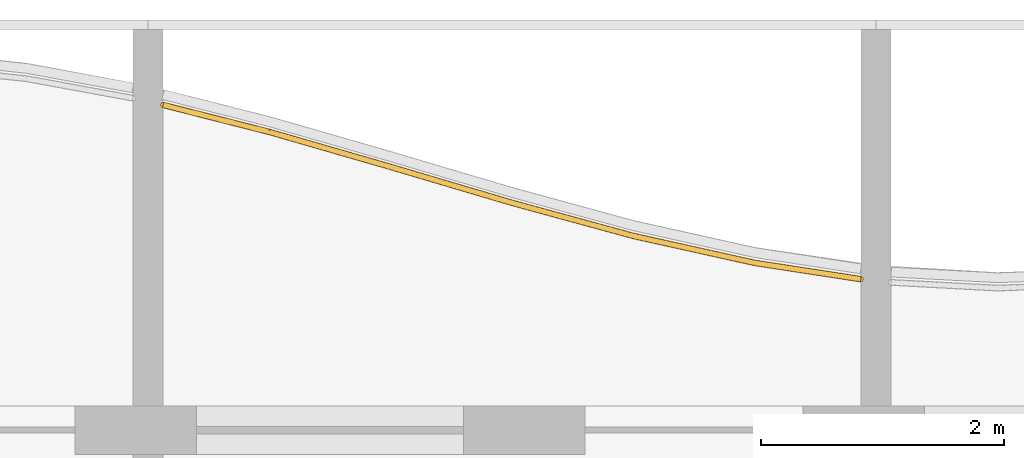
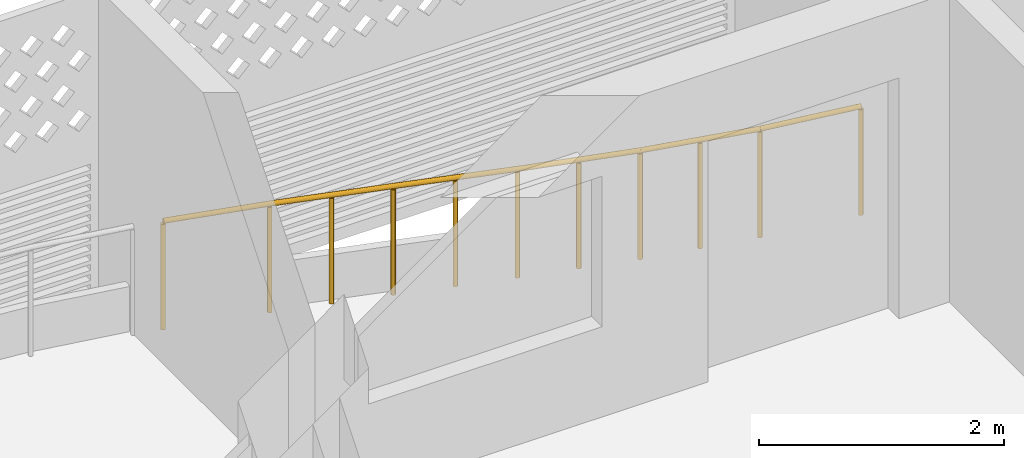
# One storey, part 23 of 26: 1 railing.
"""IFC4 building model written with IfcOpenShell, lengths in metres."""

import ifcopenshell
import ifcopenshell.guid

model = None  # the IFC model being written
_history = None  # IfcOwnerHistory: only IFC2X3 demands one
_inside = {}  # id of a spatial element -> (the spatial element, [elements in it])
_under = {}  # id of a project, library or spatial element -> (it, [spatial elements below it])
_declared = {}  # id of a project -> (the project, [libraries it declares])
_typed = {}  # id of a type object -> (the type object, [elements of that type])
_made_of = {}  # id of a material, layer set ... -> (it, [elements and type objects made of it])


def new_model(schema):
    """Start an empty IFC model of exactly this schema.

    Asked for "IFC4X3", IfcOpenShell would pick the latest addendum, in which some entities
    have other attributes; the version numbers below select the first issue.
    IFC2X3 requires an IfcOwnerHistory on every rooted entity: one is made here for all.
    """
    global model, _history
    if schema == "IFC4X3":
        model = ifcopenshell.file(schema_version=(4, 3, 0, 0))
    else:
        model = ifcopenshell.file(schema=schema)
    _inside.clear()
    _under.clear()
    _declared.clear()
    _typed.clear()
    _made_of.clear()
    _history = None
    if model.schema == "IFC2X3":
        org = make("IfcOrganization", Name="unknown")
        user = make(
            "IfcPersonAndOrganization",
            ThePerson=make("IfcPerson", FamilyName="unknown"),
            TheOrganization=org,
        )
        app = make(
            "IfcApplication",
            ApplicationDeveloper=org,
            Version="unknown",
            ApplicationFullName="unknown",
            ApplicationIdentifier="unknown",
        )
        _history = make(
            "IfcOwnerHistory",
            OwningUser=user,
            OwningApplication=app,
            ChangeAction="ADDED",
            CreationDate=0,
        )
    return model


def make(cls, **values):
    """One entity of the class cls with the attributes given. An attribute that is None is left unset."""
    return model.create_entity(
        cls, **{name: value for name, value in values.items() if value is not None}
    )


def rooted(cls, **values):
    """An entity with a GlobalId (a new one), such as an element, a storey or a relation."""
    return make(cls, GlobalId=ifcopenshell.guid.new(), OwnerHistory=_history, **values)


def si_unit(unit_type, name, prefix=None):
    """IfcSIUnit, for example si_unit("LENGTHUNIT", "METRE", prefix="MILLI")."""
    return make("IfcSIUnit", UnitType=unit_type, Prefix=prefix, Name=name)


def assignment(units):
    """IfcUnitAssignment: the units of a project."""
    return None if units is None else make("IfcUnitAssignment", Units=units)


def point(xyz):
    """IfcCartesianPoint."""
    return None if xyz is None else make("IfcCartesianPoint", Coordinates=xyz)


def direction(xyz):
    """IfcDirection."""
    return None if xyz is None else make("IfcDirection", DirectionRatios=xyz)


def frame(location, z_axis=None, x_axis=None):
    """IfcAxis2Placement3D, a coordinate frame: its origin and axes. An axis left out is left unset."""
    return make(
        "IfcAxis2Placement3D",
        Location=point(location),
        Axis=direction(z_axis),
        RefDirection=direction(x_axis),
    )


def frame_2d(location, x_axis=None):
    """IfcAxis2Placement2D, a coordinate frame in the plane: its origin and x axis."""
    return make(
        "IfcAxis2Placement2D", Location=point(location), RefDirection=direction(x_axis)
    )


def origin():
    """The frame at (0, 0, 0) with its axes left unset."""
    return frame((0.0, 0.0, 0.0))


def origin_2d():
    """The frame at (0, 0) in the plane with its x axis left unset."""
    return frame_2d((0.0, 0.0))


def place(relative_to, where):
    """IfcLocalPlacement: puts the frame where relative to a parent placement (None: the world)."""
    return make(
        "IfcLocalPlacement", PlacementRelTo=relative_to, RelativePlacement=where
    )


def context(
    kind, dimensions, precision=None, world=None, true_north=None, identifier=None
):
    """IfcGeometricRepresentationContext, for example the 3D "Model" context."""
    return make(
        "IfcGeometricRepresentationContext",
        ContextIdentifier=identifier,
        ContextType=kind,
        CoordinateSpaceDimension=dimensions,
        Precision=precision,
        WorldCoordinateSystem=world,
        TrueNorth=true_north,
    )


def subcontext(parent, identifier, kind, view, scale=None):
    """IfcGeometricRepresentationSubContext, for example "Body" below "Model"."""
    return make(
        "IfcGeometricRepresentationSubContext",
        ContextIdentifier=identifier,
        ContextType=kind,
        ParentContext=parent,
        TargetScale=scale,
        TargetView=view,
    )


def project(units=None, contexts=None):
    """IfcProject with its units and contexts."""
    return rooted(
        "IfcProject",
        Name="project",
        RepresentationContexts=contexts,
        UnitsInContext=assignment(units),
    )


def spatial(cls, under=None, at=None, **own):
    """A site, building, storey or space (cls), placed at a placement, below another one or the project."""
    s = rooted(cls, ObjectPlacement=at, **own)
    if under is not None:
        _under.setdefault(under.id(), (under, []))[1].append(s)
    return s


def profile(cls, at=None, kind="AREA", **sizes):
    """A parametric profile (cls). Its sizes go by their IFC names, for example OverallWidth=200.0."""
    return make(cls, ProfileType=kind, Position=at, **sizes)


def circle(**sizes):
    """IfcCircleProfileDef."""
    return profile("IfcCircleProfileDef", **sizes)


def extrude(swept, where, along, depth):
    """IfcExtrudedAreaSolid: the profile swept, set in the frame where, extruded along a direction by depth."""
    return make(
        "IfcExtrudedAreaSolid",
        SweptArea=swept,
        Position=where,
        ExtrudedDirection=direction(along),
        Depth=depth,
    )


def shape(context_of_items, identifier, shape_type, items):
    """IfcShapeRepresentation: the items that make up one representation, for example the "Body"."""
    return make(
        "IfcShapeRepresentation",
        ContextOfItems=context_of_items,
        RepresentationIdentifier=identifier,
        RepresentationType=shape_type,
        Items=items,
    )


def material(Name=None, Category=None):
    """IfcMaterial."""
    return make("IfcMaterial", Name=Name, Category=Category)


def made_of(thing, what):
    """Note that an element or type object is made of a material, layer set ...; save() writes the relation."""
    if what is not None:
        _made_of.setdefault(what.id(), (what, []))[1].append(thing)
    return thing


def type_object(cls, material=None, **own):
    """A type object (cls), such as IfcWallType, which elements share."""
    return made_of(rooted(cls, **own), material)


def element(
    cls,
    number,
    at=None,
    inside=None,
    cuts=None,
    type_object=None,
    material=None,
    context=None,
    identifier="Body",
    shape_type=None,
    held_by="IfcProductDefinitionShape",
    body=None,
    shapes=None,
    **own,
):
    """One element of the class cls, such as IfcWall. Its Tag is "e" and its number.

    at: its placement. inside: the storey or other place that contains it. cuts: it is an
    opening in that element (IfcRelVoidsElement). A single representation is given by context,
    identifier, shape_type and body (its items); several are given by shapes. held_by: the class
    of the entity that holds the representations. save() writes the other relations.
    """
    e = rooted(cls, Tag="e%d" % number, ObjectPlacement=at, **own)
    if body is not None:
        shapes = [shape(context, identifier, shape_type, body)]
    if shapes is not None:
        e.Representation = make(held_by, Representations=shapes)
    if inside is not None:
        _inside.setdefault(inside.id(), (inside, []))[1].append(e)
    if cuts is not None:
        rooted(
            "IfcRelVoidsElement", RelatingBuildingElement=cuts, RelatedOpeningElement=e
        )
    if type_object is not None:
        _typed.setdefault(type_object.id(), (type_object, []))[1].append(e)
    return made_of(e, material)


def aggregate(whole, parts):
    """IfcRelAggregates: a whole, such as a stair, and the parts it consists of."""
    return rooted("IfcRelAggregates", RelatingObject=whole, RelatedObjects=parts)


def save(model, path):
    """Write the relations noted so far, then the file.

    IfcRelAggregates (storeys below a building ...), IfcRelContainedInSpatialStructure (elements
    in a storey), IfcRelDefinesByType, IfcRelAssociatesMaterial and IfcRelDeclares: one each for
    every whole, place, type object, material and project.
    """
    for whole, parts in _under.values():
        aggregate(whole, parts)
    for where, things in _inside.values():
        rooted(
            "IfcRelContainedInSpatialStructure",
            RelatedElements=things,
            RelatingStructure=where,
        )
    for kind, things in _typed.values():
        rooted("IfcRelDefinesByType", RelatedObjects=things, RelatingType=kind)
    for what, things in _made_of.values():
        rooted("IfcRelAssociatesMaterial", RelatedObjects=things, RelatingMaterial=what)
    for by, libraries in _declared.values():
        rooted("IfcRelDeclares", RelatingContext=by, RelatedDefinitions=libraries)
    model.write(path)


model = new_model("IFC4")

# Units and contexts
model_context = context("Model", 3, precision=1e-05, world=origin(), true_north=direction((0.0, 1.0)))
body_context = subcontext(model_context, "Body", "Model", "MODEL_VIEW")
ifc_project = project(units=[si_unit("LENGTHUNIT", "METRE"), si_unit("AREAUNIT", "SQUARE_METRE"), si_unit("VOLUMEUNIT", "CUBIC_METRE"), si_unit("PLANEANGLEUNIT", "RADIAN"), si_unit("MASSUNIT", "GRAM", prefix="KILO")], contexts=[model_context])

# Site, building, storey
site_placement = place(None, origin())
site = spatial("IfcSite", under=ifc_project, at=site_placement, CompositionType="ELEMENT")
building_placement = place(site_placement, origin())
building = spatial("IfcBuilding", under=site, at=building_placement, Name="Poui Terraces", CompositionType="ELEMENT")
storey_placement = place(building_placement, frame((0.0, 0.0, 221.39990234375)))
storey = spatial("IfcBuildingStorey", under=building, at=storey_placement, Name="L61", CompositionType="ELEMENT", Elevation=221.39990234375)

# Railing
ifc_material = material(Name="Painted steel fretwork", Category="steel")
railing_type = type_object("IfcRailingType", Name="BALCONY GUARD 1100", PredefinedType="GUARDRAIL", material=ifc_material)
railing_placement = place(storey_placement, frame((66.125, 43.8798828125, 0.0)))
element("IfcRailing", 1, at=railing_placement, inside=storey, type_object=railing_type, Name="BALCONY GUARD", PredefinedType="GUARDRAIL", context=body_context, shape_type="SweptSolid", body=[
    extrude(circle(Radius=0.02392578125, at=origin_2d()), frame((0.0, 0.0, 1.076171875), z_axis=(0.969245105532, -0.246097390076, 0.0), x_axis=(0.246097390076, 0.969245105532, 0.0)), (0.0, 0.0, 1.0), 0.90283203125),
    extrude(circle(Radius=0.02392578125, at=origin_2d()), frame((0.875, -0.22216796875, 1.076171875), z_axis=(0.960857222001, -0.277044037887, 0.0), x_axis=(0.277044037887, 0.960857222001, 0.0)), (0.0, 0.0, 1.0), 1.040771484375),
    extrude(circle(Radius=0.02392578125, at=origin_2d()), frame((1.875, -0.510498046875, 1.076171875), z_axis=(0.958901964879, -0.283737593123, 0.0), x_axis=(0.283737593123, 0.958901964879, 0.0)), (0.0, 0.0, 1.0), 1.04296875),
    extrude(circle(Radius=0.02392578125, at=origin_2d()), frame((2.875, -0.806396484375, 1.076171875), z_axis=(0.964709448785, -0.263316690367, 0.0), x_axis=(0.263316690367, 0.964709448785, 0.0)), (0.0, 0.0, 1.0), 1.03662109375),
    extrude(circle(Radius=0.02392578125, at=origin_2d()), frame((3.875, -1.079345703125, 1.076171875), z_axis=(0.976248709224, -0.216652850753, 0.0), x_axis=(0.216652850753, 0.976248709224, 0.0)), (0.0, 0.0, 1.0), 1.0244140625),
    extrude(circle(Radius=0.02392578125, at=origin_2d()), frame((4.875, -1.30126953125, 1.076171875), z_axis=(0.988387633133, -0.151953567482, 0.0), x_axis=(0.151953567482, 0.988387633133, 0.0)), (0.0, 0.0, 1.0), 0.88525390625),
    extrude(circle(Radius=0.02099609375, at=origin_2d()), origin(), (0.0, 0.0, 1.0), 1.052001953125),
    extrude(circle(Radius=0.02099609375, at=origin_2d()), frame((0.875, -0.22216796875, 0.0)), (0.0, 0.0, 1.0), 1.052001953125),
    extrude(circle(Radius=0.02099609375, at=origin_2d()), frame((1.375, -0.3662109375, 0.0)), (0.0, 0.0, 1.0), 1.052001953125),
    extrude(circle(Radius=0.02099609375, at=origin_2d()), frame((1.875, -0.510498046875, 0.0)), (0.0, 0.0, 1.0), 1.052001953125),
    extrude(circle(Radius=0.02099609375, at=origin_2d()), frame((2.375, -0.658447265625, 0.0)), (0.0, 0.0, 1.0), 1.052001953125),
    extrude(circle(Radius=0.02099609375, at=origin_2d()), frame((2.875, -0.806396484375, 0.0)), (0.0, 0.0, 1.0), 1.052001953125),
    extrude(circle(Radius=0.02099609375, at=origin_2d()), frame((3.375, -0.94287109375, 0.0)), (0.0, 0.0, 1.0), 1.052001953125),
    extrude(circle(Radius=0.02099609375, at=origin_2d()), frame((3.875, -1.079345703125, 0.0)), (0.0, 0.0, 1.0), 1.052001953125),
    extrude(circle(Radius=0.02099609375, at=origin_2d()), frame((4.375, -1.1904296875, 0.0)), (0.0, 0.0, 1.0), 1.052001953125),
    extrude(circle(Radius=0.02099609375, at=origin_2d()), frame((4.875, -1.30126953125, 0.0)), (0.0, 0.0, 1.0), 1.052001953125),
    extrude(circle(Radius=0.02099609375, at=origin_2d()), frame((5.75, -1.435791015625, 0.0)), (0.0, 0.0, 1.0), 1.052001953125),
])

save(model, "model.ifc")
